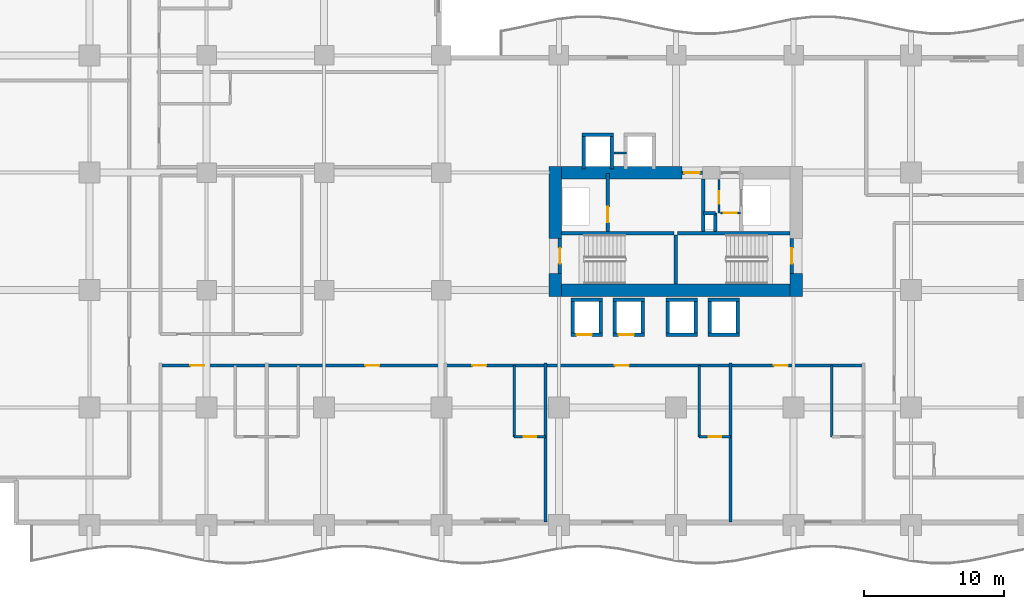
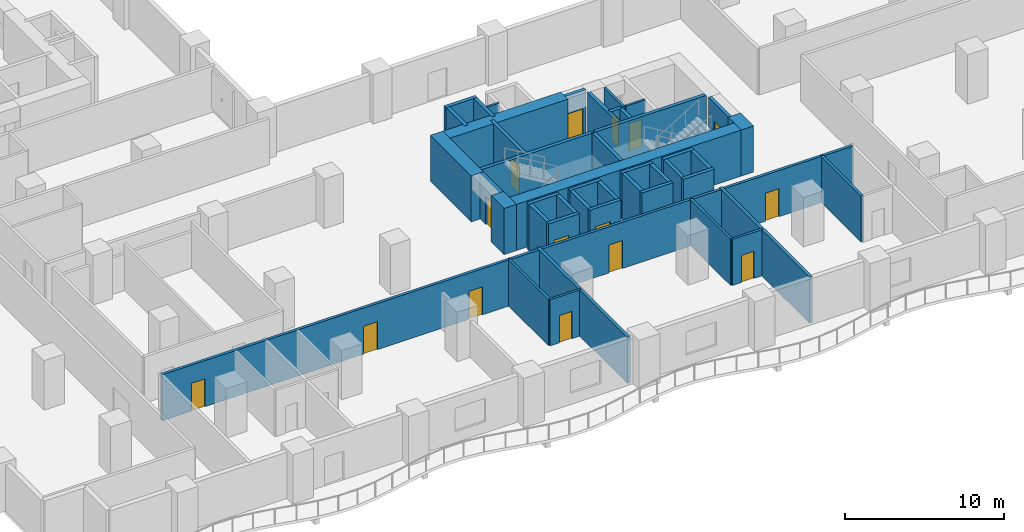
# One storey, part 6 of 20: 45 walls, 15 doors, 15 openings.
"""IFC4 building model written with IfcOpenShell, lengths in metres."""

from ifc_helpers import new_model, si_unit, direction, frame, frame_2d, origin, place, context, subcontext, project, spatial, rectangle, extrude, material, layer, layer_set, type_object, element, fill, save


model = new_model("IFC4")

# Units and contexts
model_context = context("Model", 3, precision=1e-05, world=origin(), true_north=direction((0.0, 1.0)))
body_context = subcontext(model_context, "Body", "Model", "MODEL_VIEW")
ifc_project = project(units=[si_unit("LENGTHUNIT", "METRE"), si_unit("AREAUNIT", "SQUARE_METRE"), si_unit("VOLUMEUNIT", "CUBIC_METRE"), si_unit("PLANEANGLEUNIT", "RADIAN"), si_unit("MASSUNIT", "GRAM", prefix="KILO")], contexts=[model_context])

# Site, building, storey
site_placement = place(None, origin())
site = spatial("IfcSite", under=ifc_project, at=site_placement, CompositionType="ELEMENT")
building_placement = place(site_placement, origin())
building = spatial("IfcBuilding", under=site, at=building_placement, Name="Koriwani Terraces Tower", CompositionType="ELEMENT")
storey_placement = place(building_placement, frame((0.0, 0.0, 58.60009765625)))
storey = spatial("IfcBuildingStorey", under=building, at=storey_placement, Name="L13", CompositionType="ELEMENT", Elevation=58.60009765625)

# Walls
ifc_material_1 = material(Name="Concrete C60/75", Category="concrete")
ifc_layer_1 = layer(ifc_material_1, 0.89990234375, Name="Concrete C60/75")
ifc_layer_set_1 = layer_set([ifc_layer_1], Name="Concrete C60/75")
wall_type_1 = type_object("IfcWallType", Name="WALL_CORE_RC_900", PredefinedType="SHEAR", material=ifc_layer_set_1)
wall_1_placement = place(storey_placement, frame((41.75, 16.35009765625, 0.0), z_axis=(0.0, 0.0, 1.0), x_axis=(0.0, 1.0, 0.0)))
element("IfcWall", 1, at=wall_1_placement, inside=storey, type_object=wall_type_1, Name="L13 East Split Core Shear Wall W1", PredefinedType="SHEAR", context=body_context, shape_type="SweptSolid", body=[
    extrude(rectangle(XDim=1.64990234375, YDim=0.89990234375, at=frame_2d((0.824951171875, 0.0))), origin(), (0.0, 0.0, 1.0), 3.5498046875),
])
wall_2_placement = place(storey_placement, frame((41.75, 20.5, 0.0), z_axis=(0.0, 0.0, 1.0), x_axis=(0.0, 1.0, 0.0)))
element("IfcWall", 2, at=wall_2_placement, inside=storey, type_object=wall_type_1, Name="L13 East Split Core Shear Wall W2", PredefinedType="SHEAR", context=body_context, shape_type="SweptSolid", body=[
    extrude(rectangle(XDim=5.14990234375, YDim=0.89990234375, at=frame_2d((2.574951171875, 0.0))), origin(), (0.0, 0.0, 1.0), 3.5498046875),
])
wall_3_placement = place(storey_placement, frame((59.0, 16.35009765625, 0.0), z_axis=(0.0, 0.0, 1.0), x_axis=(0.0, 1.0, 0.0)))
element("IfcWall", 3, at=wall_3_placement, inside=storey, type_object=wall_type_1, Name="L13 East Split Core Shear Wall E1", PredefinedType="SHEAR", context=body_context, shape_type="SweptSolid", body=[
    extrude(rectangle(XDim=1.64990234375, YDim=0.89990234375, at=frame_2d((0.824951171875, 0.0))), origin(), (0.0, 0.0, 1.0), 3.5498046875),
])
wall_4_placement = place(storey_placement, frame((42.199951171875, 16.800048828125, 0.0), z_axis=(0.0, 0.0, 1.0), x_axis=(1.0, 0.0, 0.0)))
element("IfcWall", 4, at=wall_4_placement, inside=storey, type_object=wall_type_1, Name="L13 East Split Core Shear Wall S1", PredefinedType="SHEAR", context=body_context, shape_type="SweptSolid", body=[
    extrude(rectangle(XDim=16.35009765625, YDim=0.89990234375, at=frame_2d((8.175048828125, 0.0))), origin(), (0.0, 0.0, 1.0), 3.5498046875),
])
wall_5_placement = place(storey_placement, frame((42.199951171875, 25.199951171875, 0.0), z_axis=(0.0, 0.0, 1.0), x_axis=(1.0, 0.0, 0.0)))
element("IfcWall", 5, at=wall_5_placement, inside=storey, type_object=wall_type_1, Name="L13 East Split Core Shear Wall N1", PredefinedType="SHEAR", context=body_context, shape_type="SweptSolid", body=[
    extrude(rectangle(XDim=8.60009765625, YDim=0.89990234375, at=frame_2d((4.300048828125, 0.0))), origin(), (0.0, 0.0, 1.0), 3.5498046875),
])

# Wall, openings, doors
ifc_material_2 = material(Name="Autoclaved Cellular Concrete Blockwork", Category="masonry")
ifc_layer_2 = layer(ifc_material_2, 0.199951171875, Name="Autoclaved Cellular Concrete Blockwork")
ifc_layer_set_2 = layer_set([ifc_layer_2], Name="Autoclaved Cellular Concrete Blockwork")
wall_type_2 = type_object("IfcWallType", Name="WALL_CORRIDOR_200", PredefinedType="PARTITIONING", material=ifc_layer_set_2)
wall_6_placement = place(storey_placement, frame((13.5, 11.39990234375, 0.0), z_axis=(0.0, 0.0, 1.0), x_axis=(1.0, 0.0, 0.0)))
wall_6 = element("IfcWall", 6, at=wall_6_placement, inside=storey, type_object=wall_type_2, Name="L13 Interior Wall WCOR-L13-SW-0", PredefinedType="PARTITIONING", context=body_context, shape_type="SweptSolid", body=[
    extrude(rectangle(XDim=50.300048828125, YDim=0.199951171875, at=frame_2d((25.14990234375, 0.0))), origin(), (0.0, 0.0, 1.0), 3.5498046875),
])
opening_1_placement = place(wall_6_placement, frame((2.135009765625, 0.0, 0.0)))
opening_1 = element("IfcOpeningElement", 7, at=opening_1_placement, cuts=wall_6, Name="Opening D-05", PredefinedType="OPENING", context=body_context, shape_type="SweptSolid", body=[
    extrude(rectangle(XDim=1.0, YDim=2.14990234375, at=frame_2d((0.5, 1.074951171875))), frame((0.0, 0.10986328125, 0.0), z_axis=(0.0, -1.0, 0.0), x_axis=(1.0, 0.0, 0.0)), (0.0, 0.0, 1.0), 0.219970703125),
])
opening_2_placement = place(wall_6_placement, frame((14.6650390625, 0.0, 0.0)))
opening_2 = element("IfcOpeningElement", 8, at=opening_2_placement, cuts=wall_6, Name="Opening D-05", PredefinedType="OPENING", context=body_context, shape_type="SweptSolid", body=[
    extrude(rectangle(XDim=1.0, YDim=2.14990234375, at=frame_2d((0.5, 1.074951171875))), frame((0.0, 0.10986328125, 0.0), z_axis=(0.0, -1.0, 0.0), x_axis=(1.0, 0.0, 0.0)), (0.0, 0.0, 1.0), 0.219970703125),
])
opening_3_placement = place(wall_6_placement, frame((22.31005859375, 0.0, 0.0)))
opening_3 = element("IfcOpeningElement", 9, at=opening_3_placement, cuts=wall_6, Name="Opening D-05", PredefinedType="OPENING", context=body_context, shape_type="SweptSolid", body=[
    extrude(rectangle(XDim=1.0, YDim=2.14990234375, at=frame_2d((0.5, 1.074951171875))), frame((0.0, 0.10986328125, 0.0), z_axis=(0.0, -1.0, 0.0), x_axis=(1.0, 0.0, 0.0)), (0.0, 0.0, 1.0), 0.219970703125),
])
opening_4_placement = place(wall_6_placement, frame((32.510009765625, 0.0, 0.0)))
opening_4 = element("IfcOpeningElement", 10, at=opening_4_placement, cuts=wall_6, Name="Opening D-05", PredefinedType="OPENING", context=body_context, shape_type="SweptSolid", body=[
    extrude(rectangle(XDim=1.0, YDim=2.14990234375, at=frame_2d((0.5, 1.074951171875))), frame((0.0, 0.10986328125, 0.0), z_axis=(0.0, -1.0, 0.0), x_axis=(1.0, 0.0, 0.0)), (0.0, 0.0, 1.0), 0.219970703125),
])
opening_5_placement = place(wall_6_placement, frame((43.885009765625, 0.0, 0.0)))
opening_5 = element("IfcOpeningElement", 11, at=opening_5_placement, cuts=wall_6, Name="Opening D-05", PredefinedType="OPENING", context=body_context, shape_type="SweptSolid", body=[
    extrude(rectangle(XDim=1.0, YDim=2.14990234375, at=frame_2d((0.5, 1.074951171875))), frame((0.0, 0.10986328125, 0.0), z_axis=(0.0, -1.0, 0.0), x_axis=(1.0, 0.0, 0.0)), (0.0, 0.0, 1.0), 0.219970703125),
])
ifc_material_3 = material(Name="Architectural Oak Fire Door", Category="wood")
door_type_1 = type_object("IfcDoorType", Name="DOOR_SUITE_ENTRY_1000X2150", OperationType="NOTDEFINED", PredefinedType="DOOR", material=ifc_material_3)
door_1_placement = place(opening_1_placement, origin())
door_1 = element("IfcDoor", 12, at=door_1_placement, inside=storey, type_object=door_type_1, Name="Luxury Hotel Suite 13SW1 Entrance Door", OperationType="SINGLE_SWING_LEFT", OverallHeight=2.14990234375, OverallWidth=1.0, PredefinedType="DOOR", context=body_context, shape_type="SweptSolid", body=[
    extrude(rectangle(XDim=1.0, YDim=2.14990234375, at=frame_2d((0.5, 1.074951171875))), frame((0.0, 0.02490234375, 0.0), z_axis=(0.0, -1.0, 0.0), x_axis=(1.0, 0.0, 0.0)), (0.0, 0.0, 1.0), 0.050048828125),
])
fill(opening_1, door_1)
door_2_placement = place(opening_2_placement, origin())
door_2 = element("IfcDoor", 13, at=door_2_placement, inside=storey, type_object=door_type_1, Name="Luxury Hotel Suite 13SW2 Entrance Door", OperationType="SINGLE_SWING_LEFT", OverallHeight=2.14990234375, OverallWidth=1.0, PredefinedType="DOOR", context=body_context, shape_type="SweptSolid", body=[
    extrude(rectangle(XDim=1.0, YDim=2.14990234375, at=frame_2d((0.5, 1.074951171875))), frame((0.0, 0.02490234375, 0.0), z_axis=(0.0, -1.0, 0.0), x_axis=(1.0, 0.0, 0.0)), (0.0, 0.0, 1.0), 0.050048828125),
])
fill(opening_2, door_2)
door_3_placement = place(opening_3_placement, origin())
door_3 = element("IfcDoor", 14, at=door_3_placement, inside=storey, type_object=door_type_1, Name="Luxury Hotel Suite 13SW3 Entrance Door", OperationType="SINGLE_SWING_LEFT", OverallHeight=2.14990234375, OverallWidth=1.0, PredefinedType="DOOR", context=body_context, shape_type="SweptSolid", body=[
    extrude(rectangle(XDim=1.0, YDim=2.14990234375, at=frame_2d((0.5, 1.074951171875))), frame((0.0, 0.02490234375, 0.0), z_axis=(0.0, -1.0, 0.0), x_axis=(1.0, 0.0, 0.0)), (0.0, 0.0, 1.0), 0.050048828125),
])
fill(opening_3, door_3)
door_4_placement = place(opening_4_placement, origin())
door_4 = element("IfcDoor", 15, at=door_4_placement, inside=storey, type_object=door_type_1, Name="Luxury Hotel Suite 13SW4 Entrance Door", OperationType="SINGLE_SWING_LEFT", OverallHeight=2.14990234375, OverallWidth=1.0, PredefinedType="DOOR", context=body_context, shape_type="SweptSolid", body=[
    extrude(rectangle(XDim=1.0, YDim=2.14990234375, at=frame_2d((0.5, 1.074951171875))), frame((0.0, 0.02490234375, 0.0), z_axis=(0.0, -1.0, 0.0), x_axis=(1.0, 0.0, 0.0)), (0.0, 0.0, 1.0), 0.050048828125),
])
fill(opening_4, door_4)
door_5_placement = place(opening_5_placement, origin())
door_5 = element("IfcDoor", 16, at=door_5_placement, inside=storey, type_object=door_type_1, Name="Luxury Hotel Suite 13SW5 Entrance Door", OperationType="SINGLE_SWING_LEFT", OverallHeight=2.14990234375, OverallWidth=1.0, PredefinedType="DOOR", context=body_context, shape_type="SweptSolid", body=[
    extrude(rectangle(XDim=1.0, YDim=2.14990234375, at=frame_2d((0.5, 1.074951171875))), frame((0.0, 0.02490234375, 0.0), z_axis=(0.0, -1.0, 0.0), x_axis=(1.0, 0.0, 0.0)), (0.0, 0.0, 1.0), 0.050048828125),
])
fill(opening_5, door_5)

# Walls
ifc_layer_3 = layer(ifc_material_2, 0.219970703125, Name="Autoclaved Cellular Concrete Blockwork")
ifc_layer_set_3 = layer_set([ifc_layer_3], Name="Autoclaved Cellular Concrete Blockwork")
wall_type_3 = type_object("IfcWallType", Name="WALL_DEMISING_220", PredefinedType="PARTITIONING", material=ifc_layer_set_3)
for number, where, z_axis, x_axis, name in (
    (17, (41.050048828125, 0.199951171875, 0.0), (0.0, 0.0, 1.0), (0.0, 1.0, 0.0), "L13 Interior Wall WDEM-L13-SW-3"),
    (18, (54.300048828125, 0.199951171875, 0.0), (0.0, 0.0, 1.0), (0.0, 1.0, 0.0), "L13 Interior Wall WDEM-L13-SW-4"),
):
    element("IfcWall", number, at=place(storey_placement, frame(where, z_axis=z_axis, x_axis=x_axis)), inside=storey, type_object=wall_type_3, Name=name, PredefinedType="PARTITIONING", context=body_context, shape_type="SweptSolid", body=[
        extrude(rectangle(XDim=11.380126953125, YDim=0.219970703125, at=frame_2d((5.68994140625, 0.0))), origin(), (0.0, 0.0, 1.0), 3.5498046875),
    ])

# Wall, opening, door
ifc_material_4 = material(Name="Fire-Rated Acoustic Gypsum Partition", Category="masonry")
ifc_layer_4 = layer(ifc_material_4, 0.179931640625, Name="Fire-Rated Acoustic Gypsum Partition")
ifc_layer_set_4 = layer_set([ifc_layer_4], Name="Fire-Rated Acoustic Gypsum Partition")
wall_type_4 = type_object("IfcWallType", Name="WALL_PLUMBING_180", PredefinedType="PLUMBINGWALL", material=ifc_layer_set_4)
wall_7_placement = place(storey_placement, frame((38.800048828125, 6.300048828125, 0.0), z_axis=(0.0, 0.0, 1.0), x_axis=(1.0, 0.0, 0.0)))
wall_7 = element("IfcWall", 19, at=wall_7_placement, inside=storey, type_object=wall_type_4, Name="L13 Interior Wall WBTH1-L13-SW-2", PredefinedType="PLUMBINGWALL", context=body_context, shape_type="SweptSolid", body=[
    extrude(rectangle(XDim=2.25, YDim=0.179931640625, at=frame_2d((1.125, 0.0))), origin(), (0.0, 0.0, 1.0), 3.5498046875),
])
opening_6_placement = place(wall_7_placement, frame((0.675048828125, 0.0, 0.0)))
opening_6 = element("IfcOpeningElement", 20, at=opening_6_placement, cuts=wall_7, Name="Opening D-07", PredefinedType="OPENING", context=body_context, shape_type="SweptSolid", body=[
    extrude(rectangle(XDim=0.89990234375, YDim=2.10009765625, at=frame_2d((0.449951171875, 1.050048828125))), frame((0.0, 0.10009765625, 0.0), z_axis=(0.0, -1.0, 0.0), x_axis=(1.0, 0.0, 0.0)), (0.0, 0.0, 1.0), 0.199951171875),
])
door_type_2 = type_object("IfcDoorType", Name="DOOR_BATH_INT_900X2100", OperationType="NOTDEFINED", PredefinedType="DOOR", material=ifc_material_3)
door_6_placement = place(opening_6_placement, origin())
door_6 = element("IfcDoor", 21, at=door_6_placement, inside=storey, type_object=door_type_2, Name="En-Suite Bathroom 13SW3 Door", OperationType="SINGLE_SWING_RIGHT", OverallHeight=2.10009765625, OverallWidth=0.89990234375, PredefinedType="DOOR", context=body_context, shape_type="SweptSolid", body=[
    extrude(rectangle(XDim=0.89990234375, YDim=2.10009765625, at=frame_2d((0.449951171875, 1.050048828125))), frame((0.0, 0.02490234375, 0.0), z_axis=(0.0, -1.0, 0.0), x_axis=(1.0, 0.0, 0.0)), (0.0, 0.0, 1.0), 0.050048828125),
])
fill(opening_6, door_6)

# Wall
wall_8_placement = place(storey_placement, frame((38.800048828125, 6.300048828125, 0.0), z_axis=(0.0, 0.0, 1.0), x_axis=(0.0, 1.0, 0.0)))
element("IfcWall", 22, at=wall_8_placement, inside=storey, type_object=wall_type_4, Name="L13 Interior Wall WBTH2-L13-SW-2", PredefinedType="PLUMBINGWALL", context=body_context, shape_type="SweptSolid", body=[
    extrude(rectangle(XDim=5.099853515625, YDim=0.179931640625, at=frame_2d((2.5498046875, 0.0))), origin(), (0.0, 0.0, 1.0), 3.5498046875),
])

# Wall, opening, door
wall_9_placement = place(storey_placement, frame((52.050048828125, 6.300048828125, 0.0), z_axis=(0.0, 0.0, 1.0), x_axis=(1.0, 0.0, 0.0)))
wall_9 = element("IfcWall", 23, at=wall_9_placement, inside=storey, type_object=wall_type_4, Name="L13 Interior Wall WBTH1-L13-SW-3", PredefinedType="PLUMBINGWALL", context=body_context, shape_type="SweptSolid", body=[
    extrude(rectangle(XDim=2.25, YDim=0.179931640625, at=frame_2d((1.125, 0.0))), origin(), (0.0, 0.0, 1.0), 3.5498046875),
])
opening_7_placement = place(wall_9_placement, frame((0.675048828125, 0.0, 0.0)))
opening_7 = element("IfcOpeningElement", 24, at=opening_7_placement, cuts=wall_9, Name="Opening D-07", PredefinedType="OPENING", context=body_context, shape_type="SweptSolid", body=[
    extrude(rectangle(XDim=0.89990234375, YDim=2.10009765625, at=frame_2d((0.449951171875, 1.050048828125))), frame((0.0, 0.10009765625, 0.0), z_axis=(0.0, -1.0, 0.0), x_axis=(1.0, 0.0, 0.0)), (0.0, 0.0, 1.0), 0.199951171875),
])
door_7_placement = place(opening_7_placement, origin())
door_7 = element("IfcDoor", 25, at=door_7_placement, inside=storey, type_object=door_type_2, Name="En-Suite Bathroom 13SW4 Door", OperationType="SINGLE_SWING_RIGHT", OverallHeight=2.10009765625, OverallWidth=0.89990234375, PredefinedType="DOOR", context=body_context, shape_type="SweptSolid", body=[
    extrude(rectangle(XDim=0.89990234375, YDim=2.10009765625, at=frame_2d((0.449951171875, 1.050048828125))), frame((0.0, 0.02490234375, 0.0), z_axis=(0.0, -1.0, 0.0), x_axis=(1.0, 0.0, 0.0)), (0.0, 0.0, 1.0), 0.050048828125),
])
fill(opening_7, door_7)

# Walls
for number, where, z_axis, x_axis, name in (
    (26, (52.050048828125, 6.300048828125, 0.0), (0.0, 0.0, 1.0), (0.0, 1.0, 0.0), "L13 Interior Wall WBTH2-L13-SW-3"),
    (27, (61.550048828125, 6.300048828125, 0.0), (0.0, 0.0, 1.0), (0.0, 1.0, 0.0), "L13 Interior Wall WBTH2-L13-SW-4"),
):
    element("IfcWall", number, at=place(storey_placement, frame(where, z_axis=z_axis, x_axis=x_axis)), inside=storey, type_object=wall_type_4, Name=name, PredefinedType="PLUMBINGWALL", context=body_context, shape_type="SweptSolid", body=[
        extrude(rectangle(XDim=5.099853515625, YDim=0.179931640625, at=frame_2d((2.5498046875, 0.0))), origin(), (0.0, 0.0, 1.0), 3.5498046875),
    ])
ifc_material_5 = material(Name="Concrete C40/50", Category="concrete")
ifc_layer_5 = layer(ifc_material_5, 0.25, Name="Concrete C40/50")
ifc_layer_set_5 = layer_set([ifc_layer_5], Name="Concrete C40/50")
wall_type_5 = type_object("IfcWallType", Name="WALL_SHAFT_RATED_250", PredefinedType="SOLIDWALL", material=ifc_layer_set_5)
for number, where, z_axis, x_axis, name in (
    (28, (42.199951171875, 20.875, 0.0), (0.0, 0.0, 1.0), (1.0, 0.0, 0.0), "L13 East Split Core Web Wall MID1"),
    (29, (50.5, 20.875, 0.0), (0.0, 0.0, 1.0), (1.0, 0.0, 0.0), "L13 East Split Core Web Wall MID2"),
):
    element("IfcWall", number, at=place(storey_placement, frame(where, z_axis=z_axis, x_axis=x_axis)), inside=storey, type_object=wall_type_5, Name=name, PredefinedType="SOLIDWALL", context=body_context, shape_type="SweptSolid", body=[
        extrude(rectangle(XDim=8.050048828125, YDim=0.25, at=frame_2d((4.02490234375, 0.0))), origin(), (0.0, 0.0, 1.0), 3.5498046875),
    ])
wall_10_placement = place(storey_placement, frame((50.375, 17.25, 0.0), z_axis=(0.0, 0.0, 1.0), x_axis=(0.0, 1.0, 0.0)))
element("IfcWall", 30, at=wall_10_placement, inside=storey, type_object=wall_type_5, Name="L13 East Split Core Stair Dividing Wall", PredefinedType="SOLIDWALL", context=body_context, shape_type="SweptSolid", body=[
    extrude(rectangle(XDim=3.5, YDim=0.25, at=frame_2d((1.75, 0.0))), origin(), (0.0, 0.0, 1.0), 3.5498046875),
])

# Wall, opening, door
wall_11_placement = place(storey_placement, frame((42.074951171875, 18.0, 0.0), z_axis=(0.0, 0.0, 1.0), x_axis=(0.0, 1.0, 0.0)))
wall_11 = element("IfcWall", 31, at=wall_11_placement, inside=storey, type_object=wall_type_5, Name="L13 Interior Wall WIN-CE-L13-STW", PredefinedType="SOLIDWALL", context=body_context, shape_type="SweptSolid", body=[
    extrude(rectangle(XDim=2.5, YDim=0.25, at=frame_2d((1.25, 0.0))), origin(), (0.0, 0.0, 1.0), 3.5498046875),
])
opening_8_placement = place(wall_11_placement, frame((0.699951171875, 0.0, 0.0)))
opening_8 = element("IfcOpeningElement", 32, at=opening_8_placement, cuts=wall_11, Name="Opening D-03", PredefinedType="OPENING", context=body_context, shape_type="SweptSolid", body=[
    extrude(rectangle(XDim=1.10009765625, YDim=2.14990234375, at=frame_2d((0.550048828125, 1.074951171875))), frame((0.0, 0.135009765625, 0.0), z_axis=(0.0, -1.0, 0.0), x_axis=(1.0, 0.0, 0.0)), (0.0, 0.0, 1.0), 0.27001953125),
])
ifc_material_6 = material(Name="Steel ASTM A572 Grade 50", Category="steel")
door_type_3 = type_object("IfcDoorType", Name="DOOR_STAIR_FIRE_1100X2150", OperationType="NOTDEFINED", PredefinedType="DOOR", material=ifc_material_6)
door_8_placement = place(opening_8_placement, origin())
door_8 = element("IfcDoor", 33, at=door_8_placement, inside=storey, type_object=door_type_3, Name="L13 Exit Stair ST-E1 Door", OperationType="SINGLE_SWING_LEFT", OverallHeight=2.14990234375, OverallWidth=1.10009765625, PredefinedType="DOOR", context=body_context, shape_type="SweptSolid", body=[
    extrude(rectangle(XDim=1.10009765625, YDim=2.14990234375, at=frame_2d((0.550048828125, 1.074951171875))), frame((0.0, 0.02490234375, 0.0), z_axis=(0.0, -1.0, 0.0), x_axis=(1.0, 0.0, 0.0)), (0.0, 0.0, 1.0), 0.050048828125),
])
fill(opening_8, door_8)

wall_12_placement = place(storey_placement, frame((58.675048828125, 18.0, 0.0), z_axis=(0.0, 0.0, 1.0), x_axis=(0.0, 1.0, 0.0)))
wall_12 = element("IfcWall", 34, at=wall_12_placement, inside=storey, type_object=wall_type_5, Name="L13 Interior Wall WIN-CE-L13-STE", PredefinedType="SOLIDWALL", context=body_context, shape_type="SweptSolid", body=[
    extrude(rectangle(XDim=2.5, YDim=0.25, at=frame_2d((1.25, 0.0))), origin(), (0.0, 0.0, 1.0), 3.5498046875),
])
opening_9_placement = place(wall_12_placement, frame((0.699951171875, 0.0, 0.0)))
opening_9 = element("IfcOpeningElement", 35, at=opening_9_placement, cuts=wall_12, Name="Opening D-03", PredefinedType="OPENING", context=body_context, shape_type="SweptSolid", body=[
    extrude(rectangle(XDim=1.10009765625, YDim=2.14990234375, at=frame_2d((0.550048828125, 1.074951171875))), frame((0.0, 0.135009765625, 0.0), z_axis=(0.0, -1.0, 0.0), x_axis=(1.0, 0.0, 0.0)), (0.0, 0.0, 1.0), 0.27001953125),
])
door_9_placement = place(opening_9_placement, origin())
door_9 = element("IfcDoor", 36, at=door_9_placement, inside=storey, type_object=door_type_3, Name="L13 Exit Stair ST-E2 Door", OperationType="SINGLE_SWING_RIGHT", OverallHeight=2.14990234375, OverallWidth=1.10009765625, PredefinedType="DOOR", context=body_context, shape_type="SweptSolid", body=[
    extrude(rectangle(XDim=1.10009765625, YDim=2.14990234375, at=frame_2d((0.550048828125, 1.074951171875))), frame((0.0, 0.02490234375, 0.0), z_axis=(0.0, -1.0, 0.0), x_axis=(1.0, 0.0, 0.0)), (0.0, 0.0, 1.0), 0.050048828125),
])
fill(opening_9, door_9)

wall_13_placement = place(storey_placement, frame((45.5, 21.0, 0.0), z_axis=(0.0, 0.0, 1.0), x_axis=(0.0, 1.0, 0.0)))
wall_13 = element("IfcWall", 37, at=wall_13_placement, inside=storey, type_object=wall_type_5, Name="L13 Interior Wall WIN-CE-L13-FE", PredefinedType="SOLIDWALL", context=body_context, shape_type="SweptSolid", body=[
    extrude(rectangle(XDim=4.14990234375, YDim=0.25, at=frame_2d((2.074951171875, 0.0))), origin(), (0.0, 0.0, 1.0), 3.5498046875),
])
opening_10_placement = place(wall_13_placement, frame((0.64990234375, 0.0, 0.0)))
opening_10 = element("IfcOpeningElement", 38, at=opening_10_placement, cuts=wall_13, Name="Opening LD-01", PredefinedType="OPENING", context=body_context, shape_type="SweptSolid", body=[
    extrude(rectangle(XDim=1.10009765625, YDim=2.14990234375, at=frame_2d((0.550048828125, 1.074951171875))), frame((0.0, 0.135009765625, 0.0), z_axis=(0.0, -1.0, 0.0), x_axis=(1.0, 0.0, 0.0)), (0.0, 0.0, 1.0), 0.27001953125),
])
door_type_4 = type_object("IfcDoorType", Name="DOOR_LIFT_LANDING_1100X2200", OperationType="NOTDEFINED", PredefinedType="DOOR", material=ifc_material_6)
door_10_placement = place(opening_10_placement, origin())
door_10 = element("IfcDoor", 39, at=door_10_placement, inside=storey, type_object=door_type_4, Name="L13 Firefighting Lift FE-02 Landing Door", OperationType="SLIDING_TO_LEFT", OverallHeight=2.14990234375, OverallWidth=1.10009765625, PredefinedType="DOOR", context=body_context, shape_type="SweptSolid", body=[
    extrude(rectangle(XDim=1.10009765625, YDim=2.14990234375, at=frame_2d((0.550048828125, 1.074951171875))), frame((0.0, 0.02490234375, 0.0), z_axis=(0.0, -1.0, 0.0), x_axis=(1.0, 0.0, 0.0)), (0.0, 0.0, 1.0), 0.050048828125),
])
fill(opening_10, door_10)

wall_14_placement = place(storey_placement, frame((50.800048828125, 25.199951171875, 0.0), z_axis=(0.0, 0.0, 1.0), x_axis=(1.0, 0.0, 0.0)))
wall_14 = element("IfcWall", 40, at=wall_14_placement, inside=storey, type_object=wall_type_5, Name="L13 Interior Wall WIN-CE-L13-NP", PredefinedType="SOLIDWALL", context=body_context, shape_type="SweptSolid", body=[
    extrude(rectangle(XDim=1.47998046875, YDim=0.25, at=frame_2d((0.739990234375, 0.0))), origin(), (0.0, 0.0, 1.0), 3.5498046875),
])
opening_11_placement = place(wall_14_placement, frame((0.179931640625, 0.0, 0.0)))
opening_11 = element("IfcOpeningElement", 41, at=opening_11_placement, cuts=wall_14, Name="Opening D-03", PredefinedType="OPENING", context=body_context, shape_type="SweptSolid", body=[
    extrude(rectangle(XDim=1.10009765625, YDim=2.14990234375, at=frame_2d((0.550048828125, 1.074951171875))), frame((0.0, 0.135009765625, 0.0), z_axis=(0.0, -1.0, 0.0), x_axis=(1.0, 0.0, 0.0)), (0.0, 0.0, 1.0), 0.27001953125),
])
door_11_placement = place(opening_11_placement, origin())
door_11 = element("IfcDoor", 42, at=door_11_placement, inside=storey, type_object=door_type_3, Name="L13 East Firefighting Lobby Door", OperationType="SINGLE_SWING_LEFT", OverallHeight=2.14990234375, OverallWidth=1.10009765625, PredefinedType="DOOR", context=body_context, shape_type="SweptSolid", body=[
    extrude(rectangle(XDim=1.10009765625, YDim=2.14990234375, at=frame_2d((0.550048828125, 1.074951171875))), frame((0.0, 0.02490234375, 0.0), z_axis=(0.0, -1.0, 0.0), x_axis=(1.0, 0.0, 0.0)), (0.0, 0.0, 1.0), 0.050048828125),
])
fill(opening_11, door_11)

# Walls
wall_15_placement = place(storey_placement, frame((52.340087890625, 21.0, 0.0), z_axis=(0.0, 0.0, 1.0), x_axis=(0.0, 1.0, 0.0)))
element("IfcWall", 43, at=wall_15_placement, inside=storey, type_object=wall_type_5, Name="L13 Interior Wall WIN-CE-L13-FFE", PredefinedType="SOLIDWALL", context=body_context, shape_type="SweptSolid", body=[
    extrude(rectangle(XDim=3.75, YDim=0.25, at=frame_2d((1.875, 0.0))), origin(), (0.0, 0.0, 1.0), 3.5498046875),
])
wall_16_placement = place(storey_placement, frame((53.199951171875, 21.0, 0.0), z_axis=(0.0, 0.0, 1.0), x_axis=(0.0, 1.0, 0.0)))
element("IfcWall", 44, at=wall_16_placement, inside=storey, type_object=wall_type_5, Name="L13 Interior Wall WIN-CE-L13-RS1", PredefinedType="SOLIDWALL", context=body_context, shape_type="SweptSolid", body=[
    extrude(rectangle(XDim=1.300048828125, YDim=0.25, at=frame_2d((0.64990234375, 0.0))), origin(), (0.0, 0.0, 1.0), 3.5498046875),
])
wall_17_placement = place(storey_placement, frame((52.360107421875, 22.300048828125, 0.0), z_axis=(0.0, 0.0, 1.0), x_axis=(1.0, 0.0, 0.0)))
element("IfcWall", 45, at=wall_17_placement, inside=storey, type_object=wall_type_5, Name="L13 Interior Wall WIN-CE-L13-RS2", PredefinedType="SOLIDWALL", context=body_context, shape_type="SweptSolid", body=[
    extrude(rectangle(XDim=0.83984375, YDim=0.25, at=frame_2d((0.419921875, 0.0))), origin(), (0.0, 0.0, 1.0), 3.5498046875),
])

# Wall, opening, door
wall_18_placement = place(storey_placement, frame((42.875, 13.60009765625, 0.0), z_axis=(0.0, 0.0, 1.0), x_axis=(1.0, 0.0, 0.0)))
wall_18 = element("IfcWall", 46, at=wall_18_placement, inside=storey, type_object=wall_type_5, Name="L13 Interior Wall WIN-LF-PE-L3-L13-F", PredefinedType="SOLIDWALL", context=body_context, shape_type="SweptSolid", body=[
    extrude(rectangle(XDim=2.25, YDim=0.25, at=frame_2d((1.125, 0.0))), origin(), (0.0, 0.0, 1.0), 3.5498046875),
])
opening_12_placement = place(wall_18_placement, frame((0.39990234375, 0.0, 0.0)))
opening_12 = element("IfcOpeningElement", 47, at=opening_12_placement, cuts=wall_18, Name="Opening LD-01", PredefinedType="OPENING", context=body_context, shape_type="SweptSolid", body=[
    extrude(rectangle(XDim=1.10009765625, YDim=2.14990234375, at=frame_2d((0.550048828125, 1.074951171875))), frame((0.0, 0.135009765625, 0.0), z_axis=(0.0, -1.0, 0.0), x_axis=(1.0, 0.0, 0.0)), (0.0, 0.0, 1.0), 0.27001953125),
])
door_12_placement = place(opening_12_placement, origin())
door_12 = element("IfcDoor", 48, at=door_12_placement, inside=storey, type_object=door_type_4, Name="L13 Passenger Lift PE-L3 Landing Door", OperationType="SLIDING_TO_LEFT", OverallHeight=2.14990234375, OverallWidth=1.10009765625, PredefinedType="DOOR", context=body_context, shape_type="SweptSolid", body=[
    extrude(rectangle(XDim=1.10009765625, YDim=2.14990234375, at=frame_2d((0.550048828125, 1.074951171875))), frame((0.0, 0.02490234375, 0.0), z_axis=(0.0, -1.0, 0.0), x_axis=(1.0, 0.0, 0.0)), (0.0, 0.0, 1.0), 0.050048828125),
])
fill(opening_12, door_12)

# Walls
for number, where, z_axis, x_axis, name in (
    (49, (42.875, 16.10009765625, 0.0), (0.0, 0.0, 1.0), (1.0, 0.0, 0.0), "L13 Interior Wall WIN-LF-PE-L3-L13-B"),
    (50, (43.0, 13.72509765625, 0.0), (0.0, 0.0, 1.0), (0.0, 1.0, 0.0), "L13 Interior Wall WIN-LF-PE-L3-L13-W"),
    (51, (45.0, 13.72509765625, 0.0), (0.0, 0.0, 1.0), (0.0, 1.0, 0.0), "L13 Interior Wall WIN-LF-PE-L3-L13-E"),
):
    element("IfcWall", number, at=place(storey_placement, frame(where, z_axis=z_axis, x_axis=x_axis)), inside=storey, type_object=wall_type_5, Name=name, PredefinedType="SOLIDWALL", context=body_context, shape_type="SweptSolid", body=[
        extrude(rectangle(XDim=2.25, YDim=0.25, at=frame_2d((1.125, 0.0))), origin(), (0.0, 0.0, 1.0), 3.5498046875),
    ])

# Wall, opening, door
wall_19_placement = place(storey_placement, frame((45.875, 13.60009765625, 0.0), z_axis=(0.0, 0.0, 1.0), x_axis=(1.0, 0.0, 0.0)))
wall_19 = element("IfcWall", 52, at=wall_19_placement, inside=storey, type_object=wall_type_5, Name="L13 Interior Wall WIN-LF-PE-L4-L13-F", PredefinedType="SOLIDWALL", context=body_context, shape_type="SweptSolid", body=[
    extrude(rectangle(XDim=2.25, YDim=0.25, at=frame_2d((1.125, 0.0))), origin(), (0.0, 0.0, 1.0), 3.5498046875),
])
opening_13_placement = place(wall_19_placement, frame((0.39990234375, 0.0, 0.0)))
opening_13 = element("IfcOpeningElement", 53, at=opening_13_placement, cuts=wall_19, Name="Opening LD-01", PredefinedType="OPENING", context=body_context, shape_type="SweptSolid", body=[
    extrude(rectangle(XDim=1.10009765625, YDim=2.14990234375, at=frame_2d((0.550048828125, 1.074951171875))), frame((0.0, 0.135009765625, 0.0), z_axis=(0.0, -1.0, 0.0), x_axis=(1.0, 0.0, 0.0)), (0.0, 0.0, 1.0), 0.27001953125),
])
door_13_placement = place(opening_13_placement, origin())
door_13 = element("IfcDoor", 54, at=door_13_placement, inside=storey, type_object=door_type_4, Name="L13 Passenger Lift PE-L4 Landing Door", OperationType="SLIDING_TO_LEFT", OverallHeight=2.14990234375, OverallWidth=1.10009765625, PredefinedType="DOOR", context=body_context, shape_type="SweptSolid", body=[
    extrude(rectangle(XDim=1.10009765625, YDim=2.14990234375, at=frame_2d((0.550048828125, 1.074951171875))), frame((0.0, 0.02490234375, 0.0), z_axis=(0.0, -1.0, 0.0), x_axis=(1.0, 0.0, 0.0)), (0.0, 0.0, 1.0), 0.050048828125),
])
fill(opening_13, door_13)

# Walls
for number, where, z_axis, x_axis, name in (
    (55, (45.875, 16.10009765625, 0.0), (0.0, 0.0, 1.0), (1.0, 0.0, 0.0), "L13 Interior Wall WIN-LF-PE-L4-L13-B"),
    (56, (46.0, 13.72509765625, 0.0), (0.0, 0.0, 1.0), (0.0, 1.0, 0.0), "L13 Interior Wall WIN-LF-PE-L4-L13-W"),
    (57, (48.0, 13.72509765625, 0.0), (0.0, 0.0, 1.0), (0.0, 1.0, 0.0), "L13 Interior Wall WIN-LF-PE-L4-L13-E"),
    (58, (49.675048828125, 13.60009765625, 0.0), (0.0, 0.0, 1.0), (1.0, 0.0, 0.0), "L13 Interior Wall WIN-LF-PE-M3-L13-F"),
    (59, (49.675048828125, 16.10009765625, 0.0), (0.0, 0.0, 1.0), (1.0, 0.0, 0.0), "L13 Interior Wall WIN-LF-PE-M3-L13-B"),
    (60, (49.800048828125, 13.72509765625, 0.0), (0.0, 0.0, 1.0), (0.0, 1.0, 0.0), "L13 Interior Wall WIN-LF-PE-M3-L13-W"),
    (61, (51.800048828125, 13.72509765625, 0.0), (0.0, 0.0, 1.0), (0.0, 1.0, 0.0), "L13 Interior Wall WIN-LF-PE-M3-L13-E"),
    (62, (52.675048828125, 13.60009765625, 0.0), (0.0, 0.0, 1.0), (1.0, 0.0, 0.0), "L13 Interior Wall WIN-LF-PE-M4-L13-F"),
    (63, (52.675048828125, 16.10009765625, 0.0), (0.0, 0.0, 1.0), (1.0, 0.0, 0.0), "L13 Interior Wall WIN-LF-PE-M4-L13-B"),
    (64, (52.800048828125, 13.72509765625, 0.0), (0.0, 0.0, 1.0), (0.0, 1.0, 0.0), "L13 Interior Wall WIN-LF-PE-M4-L13-W"),
    (65, (54.800048828125, 13.72509765625, 0.0), (0.0, 0.0, 1.0), (0.0, 1.0, 0.0), "L13 Interior Wall WIN-LF-PE-M4-L13-E"),
    (66, (43.675048828125, 27.89990234375, 0.0), (0.0, 0.0, 1.0), (1.0, 0.0, 0.0), "L13 Interior Wall WIN-LF-PE-H3-L13-F"),
):
    element("IfcWall", number, at=place(storey_placement, frame(where, z_axis=z_axis, x_axis=x_axis)), inside=storey, type_object=wall_type_5, Name=name, PredefinedType="SOLIDWALL", context=body_context, shape_type="SweptSolid", body=[
        extrude(rectangle(XDim=2.25, YDim=0.25, at=frame_2d((1.125, 0.0))), origin(), (0.0, 0.0, 1.0), 3.5498046875),
    ])
for number, where, z_axis, x_axis, name in (
    (67, (43.800048828125, 25.449951171875, 0.0), (0.0, 0.0, 1.0), (0.0, 1.0, 0.0), "L13 Interior Wall WIN-LF-PE-H3-L13-W"),
    (68, (45.800048828125, 25.449951171875, 0.0), (0.0, 0.0, 1.0), (0.0, 1.0, 0.0), "L13 Interior Wall WIN-LF-PE-H3-L13-E"),
):
    element("IfcWall", number, at=place(storey_placement, frame(where, z_axis=z_axis, x_axis=x_axis)), inside=storey, type_object=wall_type_5, Name=name, PredefinedType="SOLIDWALL", context=body_context, shape_type="SweptSolid", body=[
        extrude(rectangle(XDim=2.324951171875, YDim=0.25, at=frame_2d((1.16259765625, 0.0))), origin(), (0.0, 0.0, 1.0), 3.5498046875),
    ])

# Wall, opening, door
ifc_layer_6 = layer(ifc_material_4, 0.159912109375, Name="Fire-Rated Acoustic Gypsum Partition")
ifc_layer_set_6 = layer_set([ifc_layer_6], Name="Fire-Rated Acoustic Gypsum Partition")
wall_type_6 = type_object("IfcWallType", Name="WALL_SUITE_160", PredefinedType="PARTITIONING", material=ifc_layer_set_6)
wall_20_placement = place(storey_placement, frame((53.56005859375, 22.320068359375, 0.0), z_axis=(0.0, 0.0, 1.0), x_axis=(1.0, 0.0, 0.0)))
wall_20 = element("IfcWall", 69, at=wall_20_placement, inside=storey, type_object=wall_type_6, Name="L13 Interior Wall WIN-CE-L13-SV1A", PredefinedType="PARTITIONING", context=body_context, shape_type="SweptSolid", body=[
    extrude(rectangle(XDim=1.43994140625, YDim=0.159912109375, at=frame_2d((0.719970703125, 0.0))), origin(), (0.0, 0.0, 1.0), 3.5498046875),
])
opening_14_placement = place(wall_20_placement, frame((0.260009765625, 0.0, 0.0)))
opening_14 = element("IfcOpeningElement", 70, at=opening_14_placement, cuts=wall_20, Name="Opening D-07", PredefinedType="OPENING", context=body_context, shape_type="SweptSolid", body=[
    extrude(rectangle(XDim=0.89990234375, YDim=2.10009765625, at=frame_2d((0.449951171875, 1.050048828125))), frame((0.0, 0.08984375, 0.0), z_axis=(0.0, -1.0, 0.0), x_axis=(1.0, 0.0, 0.0)), (0.0, 0.0, 1.0), 0.179931640625),
])
door_14_placement = place(opening_14_placement, origin())
door_14 = element("IfcDoor", 71, at=door_14_placement, inside=storey, type_object=door_type_2, Name="L13 East Telecom Room Door", OperationType="SINGLE_SWING_LEFT", OverallHeight=2.10009765625, OverallWidth=0.89990234375, PredefinedType="DOOR", context=body_context, shape_type="SweptSolid", body=[
    extrude(rectangle(XDim=0.89990234375, YDim=2.10009765625, at=frame_2d((0.449951171875, 1.050048828125))), frame((0.0, 0.02490234375, 0.0), z_axis=(0.0, -1.0, 0.0), x_axis=(1.0, 0.0, 0.0)), (0.0, 0.0, 1.0), 0.050048828125),
])
fill(opening_14, door_14)

wall_21_placement = place(storey_placement, frame((53.4599609375, 22.320068359375, 0.0), z_axis=(0.0, 0.0, 1.0), x_axis=(0.0, 1.0, 0.0)))
wall_21 = element("IfcWall", 72, at=wall_21_placement, inside=storey, type_object=wall_type_6, Name="L13 Interior Wall WIN-CE-L13-SV1B", PredefinedType="PARTITIONING", context=body_context, shape_type="SweptSolid", body=[
    extrude(rectangle(XDim=2.39990234375, YDim=0.159912109375, at=frame_2d((1.199951171875, 0.0))), origin(), (0.0, 0.0, 1.0), 3.5498046875),
])
opening_15_placement = place(wall_21_placement, frame((0.64990234375, 0.0, 0.0)))
opening_15 = element("IfcOpeningElement", 73, at=opening_15_placement, cuts=wall_21, Name="Opening D-07", PredefinedType="OPENING", context=body_context, shape_type="SweptSolid", body=[
    extrude(rectangle(XDim=0.89990234375, YDim=2.10009765625, at=frame_2d((0.449951171875, 1.050048828125))), frame((0.0, 0.08984375, 0.0), z_axis=(0.0, -1.0, 0.0), x_axis=(1.0, 0.0, 0.0)), (0.0, 0.0, 1.0), 0.179931640625),
])
door_15_placement = place(opening_15_placement, origin())
door_15 = element("IfcDoor", 74, at=door_15_placement, inside=storey, type_object=door_type_2, Name="L13 East Cleaners Closet Door", OperationType="SINGLE_SWING_RIGHT", OverallHeight=2.10009765625, OverallWidth=0.89990234375, PredefinedType="DOOR", context=body_context, shape_type="SweptSolid", body=[
    extrude(rectangle(XDim=0.89990234375, YDim=2.10009765625, at=frame_2d((0.449951171875, 1.050048828125))), frame((0.0, 0.02490234375, 0.0), z_axis=(0.0, -1.0, 0.0), x_axis=(1.0, 0.0, 0.0)), (0.0, 0.0, 1.0), 0.050048828125),
])
fill(opening_15, door_15)

# Wall
wall_22_placement = place(storey_placement, frame((45.9599609375, 26.60009765625, 0.0), z_axis=(0.0, 0.0, 1.0), x_axis=(1.0, 0.0, 0.0)))
element("IfcWall", 75, at=wall_22_placement, inside=storey, type_object=wall_type_6, Name="L13 Interior Wall WIN-LF-PEH34-MID-L13", PredefinedType="PARTITIONING", context=body_context, shape_type="SweptSolid", body=[
    extrude(rectangle(XDim=0.880126953125, YDim=0.159912109375, at=frame_2d((0.43994140625, 0.0))), origin(), (0.0, 0.0, 1.0), 3.5498046875),
])

save(model, "model.ifc")
